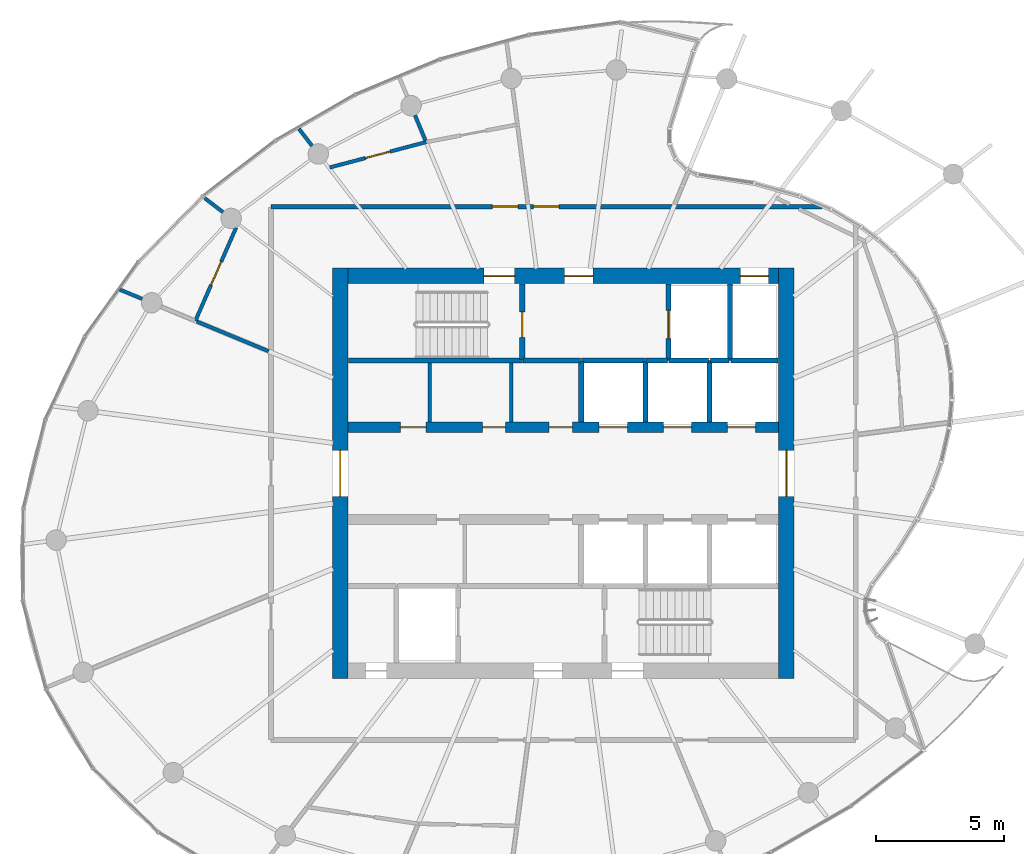
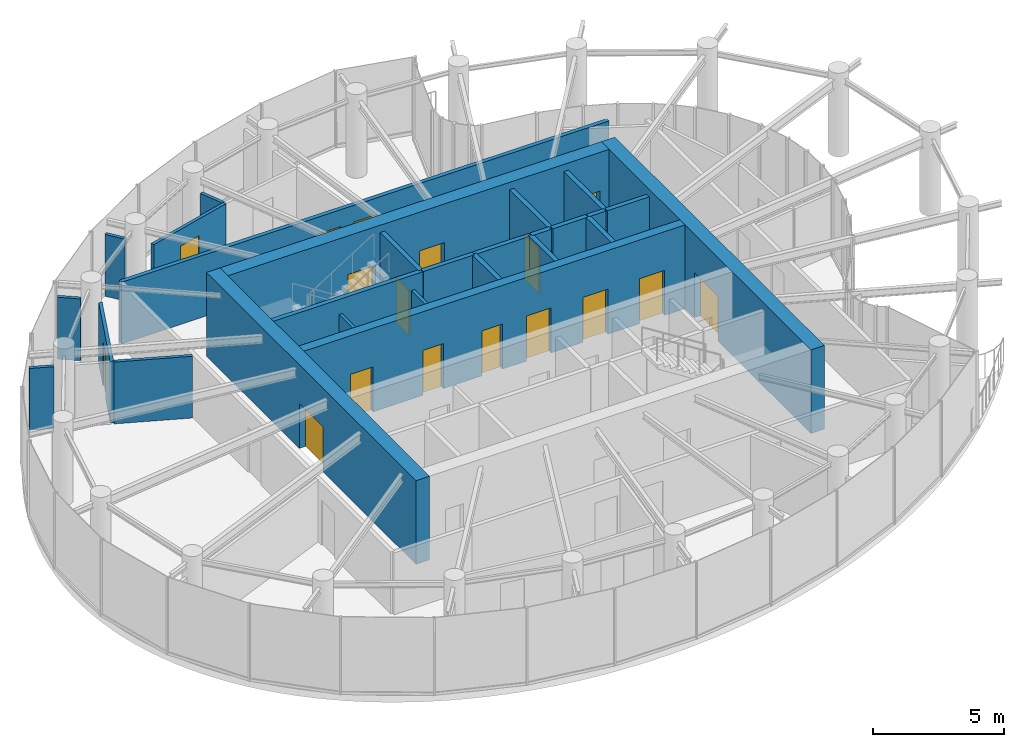
# One storey, part 11 of 14: 27 walls, 17 doors, 17 openings.
"""IFC4 building model written with IfcOpenShell, lengths in metres."""

from ifc_helpers import new_model, si_unit, direction, frame, frame_2d, origin, place, context, subcontext, project, spatial, rectangle, extrude, source, transform, mapped, material, layer, layer_set, type_object, element, fill, save


model = new_model("IFC4")

# Units and contexts
model_context = context("Model", 3, precision=1e-05, world=origin(), true_north=direction((0.0, 1.0)))
body_context = subcontext(model_context, "Body", "Model", "MODEL_VIEW")
ifc_project = project(units=[si_unit("LENGTHUNIT", "METRE"), si_unit("AREAUNIT", "SQUARE_METRE"), si_unit("VOLUMEUNIT", "CUBIC_METRE"), si_unit("PLANEANGLEUNIT", "RADIAN"), si_unit("MASSUNIT", "GRAM", prefix="KILO")], contexts=[model_context])

# Site, building, storey
site_placement = place(None, origin())
site = spatial("IfcSite", under=ifc_project, at=site_placement, CompositionType="ELEMENT")
building_placement = place(site_placement, origin())
building = spatial("IfcBuilding", under=site, at=building_placement, Name="Spindrift Exchange Tower", CompositionType="ELEMENT")
storey_placement = place(building_placement, frame((0.0, 0.0, 238.39990234375)))
storey = spatial("IfcBuildingStorey", under=building, at=storey_placement, Name="L58", CompositionType="ELEMENT", Elevation=238.39990234375)

# Wall, opening, door
ifc_material_1 = material(Name="Concrete 50 MPa", Category="concrete")
ifc_layer_1 = layer(ifc_material_1, 0.60009765625)
ifc_layer_set_1 = layer_set([ifc_layer_1], Name="RC Core Wall 600 Concrete 50 MPa")
wall_type_1 = type_object("IfcWallType", Name="RC Core Wall 600 Concrete 50 MPa", PredefinedType="SHEAR", material=ifc_layer_set_1)
wall_1_placement = place(storey_placement, frame((60.699951171875, 40.0, 0.0), z_axis=(0.0, 0.0, 1.0), x_axis=(0.0, 1.0, 0.0)))
wall_1 = element("IfcWall", 1, at=wall_1_placement, inside=storey, type_object=wall_type_1, Name="Core wall E L58", PredefinedType="SHEAR", context=body_context, shape_type="SweptSolid", body=[
    extrude(rectangle(XDim=16.0, YDim=0.60009765625, at=frame_2d((8.0, 0.0))), origin(), (0.0, 0.0, 1.0), 3.900146484375),
])
opening_1_placement = place(wall_1_placement, frame((7.10009765625, 0.0, 0.0)))
opening_1 = element("IfcOpeningElement", 2, at=opening_1_placement, cuts=wall_1, Name="Opening L58-D2", PredefinedType="OPENING", context=body_context, shape_type="SweptSolid", body=[
    extrude(rectangle(XDim=1.800048828125, YDim=2.10009765625, at=frame_2d((0.89990234375, 1.050048828125))), frame((0.0, 0.31005859375, 0.0), z_axis=(0.0, -1.0, 0.0), x_axis=(1.0, 0.0, 0.0)), (0.0, 0.0, 1.0), 0.6201171875),
])
ifc_material_2 = material(Name="Timber-core fire door", Category="wood")
door_type_1 = type_object("IfcDoorType", Name="DR-LOBBY-1800", OperationType="NOTDEFINED", PredefinedType="DOOR", material=ifc_material_2)
shared_shape_1 = source(origin(), body_context, "Body", "SweptSolid", [
    extrude(rectangle(XDim=1.800048828125, YDim=2.10009765625, at=frame_2d((0.89990234375, 1.050048828125))), frame((0.0, 0.02490234375, 0.0), z_axis=(0.0, -1.0, 0.0), x_axis=(1.0, 0.0, 0.0)), (0.0, 0.0, 1.0), 0.050048828125),
])
door_1_placement = place(opening_1_placement, origin())
door_1 = element("IfcDoor", 3, at=door_1_placement, inside=storey, type_object=door_type_1, Name="L58 Lobby door 2", OperationType="SINGLE_SWING_RIGHT", OverallHeight=2.10009765625, OverallWidth=1.800048828125, PredefinedType="DOOR", context=body_context, shape_type="MappedRepresentation", body=[
    mapped(shared_shape_1, transform((0.0, 0.0, 0.0), scale=1.0)),
])
fill(opening_1, door_1)

wall_2_placement = place(storey_placement, frame((43.300048828125, 56.0, 0.0), z_axis=(0.0, 0.0, 1.0), x_axis=(0.0, -1.0, 0.0)))
wall_2 = element("IfcWall", 4, at=wall_2_placement, inside=storey, type_object=wall_type_1, Name="Core wall W L58", PredefinedType="SHEAR", context=body_context, shape_type="SweptSolid", body=[
    extrude(rectangle(XDim=16.0, YDim=0.60009765625, at=frame_2d((8.0, 0.0))), origin(), (0.0, 0.0, 1.0), 3.900146484375),
])
opening_2_placement = place(wall_2_placement, frame((7.10009765625, 0.0, 0.0)))
opening_2 = element("IfcOpeningElement", 5, at=opening_2_placement, cuts=wall_2, Name="Opening L58-D1", PredefinedType="OPENING", context=body_context, shape_type="SweptSolid", body=[
    extrude(rectangle(XDim=1.800048828125, YDim=2.10009765625, at=frame_2d((0.89990234375, 1.050048828125))), frame((0.0, 0.31005859375, 0.0), z_axis=(0.0, -1.0, 0.0), x_axis=(1.0, 0.0, 0.0)), (0.0, 0.0, 1.0), 0.6201171875),
])
door_2_placement = place(opening_2_placement, origin())
door_2 = element("IfcDoor", 6, at=door_2_placement, inside=storey, type_object=door_type_1, Name="L58 Lobby door 1", OperationType="SINGLE_SWING_LEFT", OverallHeight=2.10009765625, OverallWidth=1.800048828125, PredefinedType="DOOR", context=body_context, shape_type="MappedRepresentation", body=[
    mapped(shared_shape_1, transform((0.0, 0.0, 0.0), scale=1.0)),
])
fill(opening_2, door_2)

# Wall, openings, doors
wall_3_placement = place(storey_placement, frame((60.39990234375, 55.699951171875, 0.0), z_axis=(0.0, 0.0, 1.0), x_axis=(-1.0, 0.0, 0.0)))
wall_3 = element("IfcWall", 7, at=wall_3_placement, inside=storey, type_object=wall_type_1, Name="Core wall N L58", PredefinedType="SHEAR", context=body_context, shape_type="SweptSolid", body=[
    extrude(rectangle(XDim=16.7998046875, YDim=0.60009765625, at=frame_2d((8.39990234375, 0.0))), origin(), (0.0, 0.0, 1.0), 3.900146484375),
])
opening_3_placement = place(wall_3_placement, frame((0.39990234375, 0.0, 0.0)))
opening_3 = element("IfcOpeningElement", 8, at=opening_3_placement, cuts=wall_3, Name="Opening L58-D11", PredefinedType="OPENING", context=body_context, shape_type="SweptSolid", body=[
    extrude(rectangle(XDim=1.10009765625, YDim=2.10009765625, at=frame_2d((0.550048828125, 1.050048828125))), frame((0.0, 0.31005859375, 0.0), z_axis=(0.0, -1.0, 0.0), x_axis=(1.0, 0.0, 0.0)), (0.0, 0.0, 1.0), 0.6201171875),
])
opening_4_placement = place(wall_3_placement, frame((10.300048828125, 0.0, 0.0)))
opening_4 = element("IfcOpeningElement", 9, at=opening_4_placement, cuts=wall_3, Name="Opening L58-D12", PredefinedType="OPENING", context=body_context, shape_type="SweptSolid", body=[
    extrude(rectangle(XDim=1.199951171875, YDim=2.10009765625, at=frame_2d((0.60009765625, 1.050048828125))), frame((0.0, 0.31005859375, 0.0), z_axis=(0.0, -1.0, 0.0), x_axis=(1.0, 0.0, 0.0)), (0.0, 0.0, 1.0), 0.6201171875),
])
opening_5_placement = place(wall_3_placement, frame((7.25, 0.0, 0.0)))
opening_5 = element("IfcOpeningElement", 10, at=opening_5_placement, cuts=wall_3, Name="Opening L58-D14", PredefinedType="OPENING", context=body_context, shape_type="SweptSolid", body=[
    extrude(rectangle(XDim=1.10009765625, YDim=2.10009765625, at=frame_2d((0.550048828125, 1.050048828125))), frame((0.0, 0.31005859375, 0.0), z_axis=(0.0, -1.0, 0.0), x_axis=(1.0, 0.0, 0.0)), (0.0, 0.0, 1.0), 0.6201171875),
])
ifc_material_3 = material(Name="Stainless steel landing door", Category="steel")
door_type_2 = type_object("IfcDoorType", Name="DR-LANDING-1100-SL", OperationType="DOUBLE_DOOR_SLIDING", PredefinedType="USERDEFINED", material=ifc_material_3)
shared_shape_2 = source(origin(), body_context, "Body", "SweptSolid", [
    extrude(rectangle(XDim=1.10009765625, YDim=2.10009765625, at=frame_2d((0.550048828125, 1.050048828125))), frame((0.0, 0.02490234375, 0.0), z_axis=(0.0, -1.0, 0.0), x_axis=(1.0, 0.0, 0.0)), (0.0, 0.0, 1.0), 0.050048828125),
])
door_3_placement = place(opening_3_placement, origin())
door_3 = element("IfcDoor", 11, at=door_3_placement, inside=storey, type_object=door_type_2, Name="L58 Lift landing door 11", ObjectType="LANDING DOOR", OperationType="DOUBLE_DOOR_SLIDING", OverallHeight=2.10009765625, OverallWidth=1.10009765625, PredefinedType="USERDEFINED", context=body_context, shape_type="MappedRepresentation", body=[
    mapped(shared_shape_2, transform((0.0, 0.0, 0.0), scale=1.0)),
])
fill(opening_3, door_3)
ifc_material_4 = material(Name="Steel fire door", Category="steel")
door_type_3 = type_object("IfcDoorType", Name="DR-STAIR-1200", OperationType="NOTDEFINED", PredefinedType="DOOR", material=ifc_material_4)
shared_shape_3 = source(origin(), body_context, "Body", "SweptSolid", [
    extrude(rectangle(XDim=1.199951171875, YDim=2.10009765625, at=frame_2d((0.60009765625, 1.050048828125))), frame((0.0, 0.02490234375, 0.0), z_axis=(0.0, -1.0, 0.0), x_axis=(1.0, 0.0, 0.0)), (0.0, 0.0, 1.0), 0.050048828125),
])
door_4_placement = place(opening_4_placement, origin())
door_4 = element("IfcDoor", 12, at=door_4_placement, inside=storey, type_object=door_type_3, Name="L58 Stair door 12", OperationType="SINGLE_SWING_LEFT", OverallHeight=2.10009765625, OverallWidth=1.199951171875, PredefinedType="DOOR", context=body_context, shape_type="MappedRepresentation", body=[
    mapped(shared_shape_3, transform((0.0, 0.0, 0.0), scale=1.0)),
])
fill(opening_4, door_4)
door_type_4 = type_object("IfcDoorType", Name="DR-LOBBY-1100", OperationType="NOTDEFINED", PredefinedType="DOOR", material=ifc_material_2)
shared_shape_4 = source(origin(), body_context, "Body", "SweptSolid", [
    extrude(rectangle(XDim=1.10009765625, YDim=2.10009765625, at=frame_2d((0.550048828125, 1.050048828125))), frame((0.0, 0.02490234375, 0.0), z_axis=(0.0, -1.0, 0.0), x_axis=(1.0, 0.0, 0.0)), (0.0, 0.0, 1.0), 0.050048828125),
])
door_5_placement = place(opening_5_placement, origin())
door_5 = element("IfcDoor", 13, at=door_5_placement, inside=storey, type_object=door_type_4, Name="L58 Lobby door 14", OperationType="SINGLE_SWING_LEFT", OverallHeight=2.10009765625, OverallWidth=1.10009765625, PredefinedType="DOOR", context=body_context, shape_type="MappedRepresentation", body=[
    mapped(shared_shape_4, transform((0.0, 0.0, 0.0), scale=1.0)),
])
fill(opening_5, door_5)

ifc_layer_2 = layer(ifc_material_1, 0.39990234375)
ifc_layer_set_2 = layer_set([ifc_layer_2], Name="RC Spine Wall 400 Concrete 50 MPa")
wall_type_2 = type_object("IfcWallType", Name="RC Spine Wall 400 Concrete 50 MPa", PredefinedType="SHEAR", material=ifc_layer_set_2)
wall_4_placement = place(storey_placement, frame((43.60009765625, 49.800048828125, 0.0), z_axis=(0.0, 0.0, 1.0), x_axis=(1.0, 0.0, 0.0)))
wall_4 = element("IfcWall", 14, at=wall_4_placement, inside=storey, type_object=wall_type_2, Name="Core spine wall N L58", PredefinedType="SHEAR", context=body_context, shape_type="SweptSolid", body=[
    extrude(rectangle(XDim=16.7998046875, YDim=0.39990234375, at=frame_2d((8.39990234375, 0.0))), origin(), (0.0, 0.0, 1.0), 3.900146484375),
])
opening_6_placement = place(wall_4_placement, frame((9.800048828125, 0.0, 0.0)))
opening_6 = element("IfcOpeningElement", 15, at=opening_6_placement, cuts=wall_4, Name="Opening L58-D3", PredefinedType="OPENING", context=body_context, shape_type="SweptSolid", body=[
    extrude(rectangle(XDim=1.10009765625, YDim=2.10009765625, at=frame_2d((0.550048828125, 1.050048828125))), frame((0.0, 0.2099609375, 0.0), z_axis=(0.0, -1.0, 0.0), x_axis=(1.0, 0.0, 0.0)), (0.0, 0.0, 1.0), 0.419921875),
])
opening_7_placement = place(wall_4_placement, frame((12.300048828125, 0.0, 0.0)))
opening_7 = element("IfcOpeningElement", 16, at=opening_7_placement, cuts=wall_4, Name="Opening L58-D4", PredefinedType="OPENING", context=body_context, shape_type="SweptSolid", body=[
    extrude(rectangle(XDim=1.10009765625, YDim=2.10009765625, at=frame_2d((0.550048828125, 1.050048828125))), frame((0.0, 0.2099609375, 0.0), z_axis=(0.0, -1.0, 0.0), x_axis=(1.0, 0.0, 0.0)), (0.0, 0.0, 1.0), 0.419921875),
])
opening_8_placement = place(wall_4_placement, frame((14.800048828125, 0.0, 0.0)))
opening_8 = element("IfcOpeningElement", 17, at=opening_8_placement, cuts=wall_4, Name="Opening L58-D5", PredefinedType="OPENING", context=body_context, shape_type="SweptSolid", body=[
    extrude(rectangle(XDim=1.10009765625, YDim=2.10009765625, at=frame_2d((0.550048828125, 1.050048828125))), frame((0.0, 0.2099609375, 0.0), z_axis=(0.0, -1.0, 0.0), x_axis=(1.0, 0.0, 0.0)), (0.0, 0.0, 1.0), 0.419921875),
])
opening_9_placement = place(wall_4_placement, frame((2.050048828125, 0.0, 0.0)))
opening_9 = element("IfcOpeningElement", 18, at=opening_9_placement, cuts=wall_4, Name="Opening L58-D34", PredefinedType="OPENING", context=body_context, shape_type="SweptSolid", body=[
    extrude(rectangle(XDim=1.0, YDim=2.10009765625, at=frame_2d((0.5, 1.050048828125))), frame((0.0, 0.2099609375, 0.0), z_axis=(0.0, -1.0, 0.0), x_axis=(1.0, 0.0, 0.0)), (0.0, 0.0, 1.0), 0.419921875),
])
opening_10_placement = place(wall_4_placement, frame((5.25, 0.0, 0.0)))
opening_10 = element("IfcOpeningElement", 19, at=opening_10_placement, cuts=wall_4, Name="Opening L58-D35", PredefinedType="OPENING", context=body_context, shape_type="SweptSolid", body=[
    extrude(rectangle(XDim=0.89990234375, YDim=2.10009765625, at=frame_2d((0.449951171875, 1.050048828125))), frame((0.0, 0.2099609375, 0.0), z_axis=(0.0, -1.0, 0.0), x_axis=(1.0, 0.0, 0.0)), (0.0, 0.0, 1.0), 0.419921875),
])
opening_11_placement = place(wall_4_placement, frame((7.85009765625, 0.0, 0.0)))
opening_11 = element("IfcOpeningElement", 20, at=opening_11_placement, cuts=wall_4, Name="Opening L58-D36", PredefinedType="OPENING", context=body_context, shape_type="SweptSolid", body=[
    extrude(rectangle(XDim=0.89990234375, YDim=2.10009765625, at=frame_2d((0.449951171875, 1.050048828125))), frame((0.0, 0.2099609375, 0.0), z_axis=(0.0, -1.0, 0.0), x_axis=(1.0, 0.0, 0.0)), (0.0, 0.0, 1.0), 0.419921875),
])
door_6_placement = place(opening_6_placement, origin())
door_6 = element("IfcDoor", 21, at=door_6_placement, inside=storey, type_object=door_type_2, Name="L58 Lift landing door 3", ObjectType="LANDING DOOR", OperationType="DOUBLE_DOOR_SLIDING", OverallHeight=2.10009765625, OverallWidth=1.10009765625, PredefinedType="USERDEFINED", context=body_context, shape_type="MappedRepresentation", body=[
    mapped(shared_shape_2, transform((0.0, 0.0, 0.0), scale=1.0)),
])
fill(opening_6, door_6)
door_7_placement = place(opening_7_placement, origin())
door_7 = element("IfcDoor", 22, at=door_7_placement, inside=storey, type_object=door_type_2, Name="L58 Lift landing door 4", ObjectType="LANDING DOOR", OperationType="DOUBLE_DOOR_SLIDING", OverallHeight=2.10009765625, OverallWidth=1.10009765625, PredefinedType="USERDEFINED", context=body_context, shape_type="MappedRepresentation", body=[
    mapped(shared_shape_2, transform((0.0, 0.0, 0.0), scale=1.0)),
])
fill(opening_7, door_7)
door_8_placement = place(opening_8_placement, origin())
door_8 = element("IfcDoor", 23, at=door_8_placement, inside=storey, type_object=door_type_2, Name="L58 Lift landing door 5", ObjectType="LANDING DOOR", OperationType="DOUBLE_DOOR_SLIDING", OverallHeight=2.10009765625, OverallWidth=1.10009765625, PredefinedType="USERDEFINED", context=body_context, shape_type="MappedRepresentation", body=[
    mapped(shared_shape_2, transform((0.0, 0.0, 0.0), scale=1.0)),
])
fill(opening_8, door_8)
ifc_material_5 = material(Name="Steel access door", Category="steel")
door_type_5 = type_object("IfcDoorType", Name="DR-RISER-900", OperationType="NOTDEFINED", PredefinedType="DOOR", material=ifc_material_5)
shared_shape_5 = source(origin(), body_context, "Body", "SweptSolid", [
    extrude(rectangle(XDim=0.89990234375, YDim=2.10009765625, at=frame_2d((0.449951171875, 1.050048828125))), frame((0.0, 0.02490234375, 0.0), z_axis=(0.0, -1.0, 0.0), x_axis=(1.0, 0.0, 0.0)), (0.0, 0.0, 1.0), 0.050048828125),
])
door_9_placement = place(opening_10_placement, origin())
door_9 = element("IfcDoor", 24, at=door_9_placement, inside=storey, type_object=door_type_5, Name="L58 Riser door 35", OperationType="SINGLE_SWING_RIGHT", OverallHeight=2.10009765625, OverallWidth=0.89990234375, PredefinedType="DOOR", context=body_context, shape_type="MappedRepresentation", body=[
    mapped(shared_shape_5, transform((0.0, 0.0, 0.0), scale=1.0)),
])
fill(opening_10, door_9)
door_10_placement = place(opening_11_placement, origin())
door_10 = element("IfcDoor", 25, at=door_10_placement, inside=storey, type_object=door_type_5, Name="L58 Riser door 36", OperationType="SINGLE_SWING_LEFT", OverallHeight=2.10009765625, OverallWidth=0.89990234375, PredefinedType="DOOR", context=body_context, shape_type="MappedRepresentation", body=[
    mapped(shared_shape_5, transform((0.0, 0.0, 0.0), scale=1.0)),
])
fill(opening_11, door_10)
ifc_material_6 = material(Name="Laminate washroom door", Category="wood")
door_type_6 = type_object("IfcDoorType", Name="DR-WC-1000", OperationType="NOTDEFINED", PredefinedType="DOOR", material=ifc_material_6)
shared_shape_6 = source(origin(), body_context, "Body", "SweptSolid", [
    extrude(rectangle(XDim=1.0, YDim=2.10009765625, at=frame_2d((0.5, 1.050048828125))), frame((0.0, 0.02490234375, 0.0), z_axis=(0.0, -1.0, 0.0), x_axis=(1.0, 0.0, 0.0)), (0.0, 0.0, 1.0), 0.050048828125),
])
door_11_placement = place(opening_9_placement, origin())
door_11 = element("IfcDoor", 26, at=door_11_placement, inside=storey, type_object=door_type_6, Name="L58 WC door 34", OperationType="SINGLE_SWING_LEFT", OverallHeight=2.10009765625, OverallWidth=1.0, PredefinedType="DOOR", context=body_context, shape_type="MappedRepresentation", body=[
    mapped(shared_shape_6, transform((0.0, 0.0, 0.0), scale=1.0)),
])
fill(opening_9, door_11)

ifc_material_7 = material(Name="Fire-rated plasterboard partition", Category="gypsum")
ifc_layer_3 = layer(ifc_material_7, 0.179931640625)
ifc_layer_set_3 = layer_set([ifc_layer_3], Name="W-CORR-180")
wall_type_3 = type_object("IfcWallType", Name="W-CORR-180", PredefinedType="PARTITIONING", material=ifc_layer_set_3)
wall_5_placement = place(storey_placement, frame((40.60009765625, 58.39990234375, 0.0), z_axis=(0.0, 0.0, 1.0), x_axis=(1.0, 0.0, 0.0)))
wall_5 = element("IfcWall", 27, at=wall_5_placement, inside=storey, type_object=wall_type_3, Name="L58 Partition wall 28", PredefinedType="PARTITIONING", context=body_context, shape_type="SweptSolid", body=[
    extrude(rectangle(XDim=21.4833984375, YDim=0.179931640625, at=frame_2d((10.74169921875, 0.0))), origin(), (0.0, 0.0, 1.0), 2.880126953125),
])
opening_12_placement = place(wall_5_placement, frame((10.2333984375, 0.0, 0.0)))
opening_12 = element("IfcOpeningElement", 28, at=opening_12_placement, cuts=wall_5, Name="Opening L58-D21", PredefinedType="OPENING", context=body_context, shape_type="SweptSolid", body=[
    extrude(rectangle(XDim=1.0, YDim=2.10009765625, at=frame_2d((0.5, 1.050048828125))), frame((0.0, 0.099853515625, 0.0), z_axis=(0.0, -1.0, 0.0), x_axis=(1.0, 0.0, 0.0)), (0.0, 0.0, 1.0), 0.199951171875),
])
opening_13_placement = place(wall_5_placement, frame((8.633544921875, 0.0, 0.0)))
opening_13 = element("IfcOpeningElement", 29, at=opening_13_placement, cuts=wall_5, Name="Opening L58-D22", PredefinedType="OPENING", context=body_context, shape_type="SweptSolid", body=[
    extrude(rectangle(XDim=1.0, YDim=2.10009765625, at=frame_2d((0.5, 1.050048828125))), frame((0.0, 0.099853515625, 0.0), z_axis=(0.0, -1.0, 0.0), x_axis=(1.0, 0.0, 0.0)), (0.0, 0.0, 1.0), 0.199951171875),
])
door_type_7 = type_object("IfcDoorType", Name="DR-ROOM-1000", OperationType="NOTDEFINED", PredefinedType="DOOR", material=ifc_material_2)
shared_shape_7 = source(origin(), body_context, "Body", "SweptSolid", [
    extrude(rectangle(XDim=1.0, YDim=2.10009765625, at=frame_2d((0.5, 1.050048828125))), frame((0.0, 0.02490234375, 0.0), z_axis=(0.0, -1.0, 0.0), x_axis=(1.0, 0.0, 0.0)), (0.0, 0.0, 1.0), 0.050048828125),
])
door_12_placement = place(opening_12_placement, origin())
door_12 = element("IfcDoor", 30, at=door_12_placement, inside=storey, type_object=door_type_7, Name="L58 Door 21", OperationType="SINGLE_SWING_RIGHT", OverallHeight=2.10009765625, OverallWidth=1.0, PredefinedType="DOOR", context=body_context, shape_type="MappedRepresentation", body=[
    mapped(shared_shape_7, transform((0.0, 0.0, 0.0), scale=1.0)),
])
fill(opening_12, door_12)
door_13_placement = place(opening_13_placement, origin())
door_13 = element("IfcDoor", 31, at=door_13_placement, inside=storey, type_object=door_type_7, Name="L58 Door 22", OperationType="SINGLE_SWING_LEFT", OverallHeight=2.10009765625, OverallWidth=1.0, PredefinedType="DOOR", context=body_context, shape_type="MappedRepresentation", body=[
    mapped(shared_shape_7, transform((0.0, 0.0, 0.0), scale=1.0)),
])
fill(opening_13, door_13)

# Wall, opening, door
ifc_layer_4 = layer(ifc_material_7, 0.139892578125)
ifc_layer_set_4 = layer_set([ifc_layer_4], Name="W-PART-140")
wall_type_4 = type_object("IfcWallType", Name="W-PART-140", PredefinedType="PARTITIONING", material=ifc_layer_set_4)
wall_6_placement = place(storey_placement, frame((37.65185546875, 53.943115234375, 0.0), z_axis=(0.0, 0.0, 1.0), x_axis=(0.400345057701, 0.916364466124, 0.0)))
wall_6 = element("IfcWall", 32, at=wall_6_placement, inside=storey, type_object=wall_type_4, Name="L58 Partition wall 33", PredefinedType="PARTITIONING", context=body_context, shape_type="SweptSolid", body=[
    extrude(rectangle(XDim=3.97412109375, YDim=0.139892578125, at=frame_2d((1.987060546875, 0.0))), origin(), (0.0, 0.0, 1.0), 2.880126953125),
])
opening_14_placement = place(wall_6_placement, frame((1.524169921875, 0.0, 0.0)))
opening_14 = element("IfcOpeningElement", 33, at=opening_14_placement, cuts=wall_6, Name="Opening L58-D25", PredefinedType="OPENING", context=body_context, shape_type="SweptSolid", body=[
    extrude(rectangle(XDim=1.0, YDim=2.10009765625, at=frame_2d((0.5, 1.050048828125))), frame((0.0, 0.079833984375, 0.0), z_axis=(0.0, -1.0, 0.0), x_axis=(1.0, 0.0, 0.0)), (0.0, 0.0, 1.0), 0.159912109375),
])
door_14_placement = place(opening_14_placement, origin())
door_14 = element("IfcDoor", 34, at=door_14_placement, inside=storey, type_object=door_type_7, Name="L58 Door 25", OperationType="SINGLE_SWING_RIGHT", OverallHeight=2.10009765625, OverallWidth=1.0, PredefinedType="DOOR", context=body_context, shape_type="MappedRepresentation", body=[
    mapped(shared_shape_7, transform((0.0, 0.0, 0.0), scale=1.0)),
])
fill(opening_14, door_14)

wall_7_placement = place(storey_placement, frame((42.894287109375, 59.927490234375, 0.0), z_axis=(0.0, 0.0, 1.0), x_axis=(0.967030550889, 0.254660388848, 0.0)))
wall_7 = element("IfcWall", 35, at=wall_7_placement, inside=storey, type_object=wall_type_4, Name="L58 Partition wall 34", PredefinedType="PARTITIONING", context=body_context, shape_type="SweptSolid", body=[
    extrude(rectangle(XDim=3.883544921875, YDim=0.139892578125, at=frame_2d((1.94189453125, 0.0))), origin(), (0.0, 0.0, 1.0), 2.880126953125),
])
opening_15_placement = place(wall_7_placement, frame((1.43359375, 0.0, 0.0)))
opening_15 = element("IfcOpeningElement", 36, at=opening_15_placement, cuts=wall_7, Name="Opening L58-D24", PredefinedType="OPENING", context=body_context, shape_type="SweptSolid", body=[
    extrude(rectangle(XDim=1.0, YDim=2.10009765625, at=frame_2d((0.5, 1.050048828125))), frame((0.0, 0.079833984375, 0.0), z_axis=(0.0, -1.0, 0.0), x_axis=(1.0, 0.0, 0.0)), (0.0, 0.0, 1.0), 0.159912109375),
])
door_15_placement = place(opening_15_placement, origin())
door_15 = element("IfcDoor", 37, at=door_15_placement, inside=storey, type_object=door_type_7, Name="L58 Door 24", OperationType="SINGLE_SWING_LEFT", OverallHeight=2.10009765625, OverallWidth=1.0, PredefinedType="DOOR", context=body_context, shape_type="MappedRepresentation", body=[
    mapped(shared_shape_7, transform((0.0, 0.0, 0.0), scale=1.0)),
])
fill(opening_15, door_15)

# Walls
wall_8_placement = place(storey_placement, frame((40.510009765625, 52.75927734375, 0.0), z_axis=(0.0, 0.0, 1.0), x_axis=(-0.923863305003, 0.382722606687, 0.0)))
element("IfcWall", 38, at=wall_8_placement, inside=storey, type_object=wall_type_4, Name="L58 Partition wall 43", PredefinedType="PARTITIONING", context=body_context, shape_type="SweptSolid", body=[
    extrude(rectangle(XDim=3.023681640625, YDim=0.139892578125, at=frame_2d((1.51171875, 0.0))), origin(), (0.0, 0.0, 1.0), 2.880126953125),
])
for number, where, z_axis, x_axis, name in (
    (39, (46.784912109375, 50.010009765625, 0.0), (0.0, 0.0, 1.0), (0.0, 1.0, 0.0), "L58 Partition wall 45"),
    (40, (49.969970703125, 50.010009765625, 0.0), (0.0, 0.0, 1.0), (0.0, 1.0, 0.0), "L58 Partition wall 47"),
):
    element("IfcWall", number, at=place(storey_placement, frame(where, z_axis=z_axis, x_axis=x_axis)), inside=storey, type_object=wall_type_4, Name=name, PredefinedType="PARTITIONING", context=body_context, shape_type="SweptSolid", body=[
        extrude(rectangle(XDim=2.2900390625, YDim=0.139892578125, at=frame_2d((1.14501953125, 0.0))), origin(), (0.0, 0.0, 1.0), 2.880126953125),
    ])
wall_9_placement = place(storey_placement, frame((46.622802734375, 60.98193359375, 0.0), z_axis=(0.0, 0.0, 1.0), x_axis=(-0.382698137168, 0.923873441445, 0.0)))
element("IfcWall", 41, at=wall_9_placement, inside=storey, type_object=wall_type_4, Name="L58 Partition wall 58", PredefinedType="PARTITIONING", context=body_context, shape_type="SweptSolid", body=[
    extrude(rectangle(XDim=1.058349609375, YDim=0.139892578125, at=frame_2d((0.529296875, 0.0))), origin(), (0.0, 0.0, 1.0), 2.880126953125),
])
wall_10_placement = place(storey_placement, frame((35.57421875, 54.8037109375, 0.0), z_axis=(0.0, 0.0, 1.0), x_axis=(-0.923887369877, 0.382664510743, 0.0)))
element("IfcWall", 42, at=wall_10_placement, inside=storey, type_object=wall_type_4, Name="L58 Partition wall 62", PredefinedType="PARTITIONING", context=body_context, shape_type="SweptSolid", body=[
    extrude(rectangle(XDim=0.9423828125, YDim=0.139892578125, at=frame_2d((0.47119140625, 0.0))), origin(), (0.0, 0.0, 1.0), 2.880126953125),
])
wall_11_placement = place(storey_placement, frame((38.72607421875, 58.185546875, 0.0), z_axis=(0.0, 0.0, 1.0), x_axis=(-0.793377017635, 0.608730570851, 0.0)))
element("IfcWall", 43, at=wall_11_placement, inside=storey, type_object=wall_type_4, Name="L58 Partition wall 64", PredefinedType="PARTITIONING", context=body_context, shape_type="SweptSolid", body=[
    extrude(rectangle(XDim=0.89111328125, YDim=0.139892578125, at=frame_2d((0.445556640625, 0.0))), origin(), (0.0, 0.0, 1.0), 2.880126953125),
])
wall_12_placement = place(storey_placement, frame((42.197998046875, 60.774169921875, 0.0), z_axis=(0.0, 0.0, 1.0), x_axis=(-0.608690039121, 0.793408114576, 0.0)))
element("IfcWall", 44, at=wall_12_placement, inside=storey, type_object=wall_type_4, Name="L58 Partition wall 65", PredefinedType="PARTITIONING", context=body_context, shape_type="SweptSolid", body=[
    extrude(rectangle(XDim=0.832763671875, YDim=0.139892578125, at=frame_2d((0.41650390625, 0.0))), origin(), (0.0, 0.0, 1.0), 2.880126953125),
])

# Wall, opening, door
ifc_material_8 = material(Name="Concrete 40 MPa", Category="concrete")
ifc_layer_5 = layer(ifc_material_8, 0.199951171875)
ifc_layer_set_5 = layer_set([ifc_layer_5], Name="W-SHAFT-200")
wall_type_5 = type_object("IfcWallType", Name="W-SHAFT-200", PredefinedType="SOLIDWALL", material=ifc_layer_set_5)
wall_13_placement = place(storey_placement, frame((56.10009765625, 55.3798828125, 0.0), z_axis=(0.0, 0.0, 1.0), x_axis=(0.0, -1.0, 0.0)))
wall_13 = element("IfcWall", 45, at=wall_13_placement, inside=storey, type_object=wall_type_5, Name="L58 Shaft wall 7", PredefinedType="SOLIDWALL", context=body_context, shape_type="SweptSolid", body=[
    extrude(rectangle(XDim=2.97998046875, YDim=0.199951171875, at=frame_2d((1.489990234375, 0.0))), origin(), (0.0, 0.0, 1.0), 3.580078125),
])
opening_16_placement = place(wall_13_placement, frame((1.030029296875, 0.0, 0.0)))
opening_16 = element("IfcOpeningElement", 46, at=opening_16_placement, cuts=wall_13, Name="Opening L58-D9", PredefinedType="OPENING", context=body_context, shape_type="SweptSolid", body=[
    extrude(rectangle(XDim=1.10009765625, YDim=2.10009765625, at=frame_2d((0.550048828125, 1.050048828125))), frame((0.0, 0.10986328125, 0.0), z_axis=(0.0, -1.0, 0.0), x_axis=(1.0, 0.0, 0.0)), (0.0, 0.0, 1.0), 0.219970703125),
])
door_16_placement = place(opening_16_placement, origin())
door_16 = element("IfcDoor", 47, at=door_16_placement, inside=storey, type_object=door_type_2, Name="L58 Lift landing door 9", ObjectType="LANDING DOOR", OperationType="DOUBLE_DOOR_SLIDING", OverallHeight=2.10009765625, OverallWidth=1.10009765625, PredefinedType="USERDEFINED", context=body_context, shape_type="MappedRepresentation", body=[
    mapped(shared_shape_2, transform((0.0, 0.0, 0.0), scale=1.0)),
])
fill(opening_16, door_16)

# Walls
wall_14_placement = place(storey_placement, frame((58.5, 52.39990234375, 0.0), z_axis=(0.0, 0.0, 1.0), x_axis=(0.0, 1.0, 0.0)))
element("IfcWall", 48, at=wall_14_placement, inside=storey, type_object=wall_type_5, Name="L58 Shaft wall 8", PredefinedType="SOLIDWALL", context=body_context, shape_type="SweptSolid", body=[
    extrude(rectangle(XDim=2.97998046875, YDim=0.199951171875, at=frame_2d((1.489990234375, 0.0))), origin(), (0.0, 0.0, 1.0), 3.580078125),
])
wall_15_placement = place(storey_placement, frame((55.199951171875, 52.39990234375, 0.0), z_axis=(0.0, 0.0, 1.0), x_axis=(-1.0, 0.0, 0.0)))
element("IfcWall", 49, at=wall_15_placement, inside=storey, type_object=wall_type_5, Name="L58 Shaft wall 10", PredefinedType="SOLIDWALL", context=body_context, shape_type="SweptSolid", body=[
    extrude(rectangle(XDim=2.5, YDim=0.199951171875, at=frame_2d((1.25, 0.0))), origin(), (0.0, 0.0, 1.0), 3.580078125),
])
for number, where, z_axis, x_axis, name in (
    (50, (52.699951171875, 52.3701171875, 0.0), (0.0, 0.0, 1.0), (0.0, -1.0, 0.0), "L58 Shaft wall 14"),
    (51, (55.199951171875, 50.010009765625, 0.0), (0.0, 0.0, 1.0), (0.0, 1.0, 0.0), "L58 Shaft wall 16"),
):
    element("IfcWall", number, at=place(storey_placement, frame(where, z_axis=z_axis, x_axis=x_axis)), inside=storey, type_object=wall_type_5, Name=name, PredefinedType="SOLIDWALL", context=body_context, shape_type="SweptSolid", body=[
        extrude(rectangle(XDim=2.360107421875, YDim=0.199951171875, at=frame_2d((1.18017578125, 0.0))), origin(), (0.0, 0.0, 1.0), 3.580078125),
    ])
wall_16_placement = place(storey_placement, frame((57.699951171875, 50.010009765625, 0.0), z_axis=(0.0, 0.0, 1.0), x_axis=(0.0, 1.0, 0.0)))
element("IfcWall", 52, at=wall_16_placement, inside=storey, type_object=wall_type_5, Name="L58 Shaft wall 18", PredefinedType="SOLIDWALL", context=body_context, shape_type="SweptSolid", body=[
    extrude(rectangle(XDim=2.389892578125, YDim=0.199951171875, at=frame_2d((1.19482421875, 0.0))), origin(), (0.0, 0.0, 1.0), 3.580078125),
])
wall_17_placement = place(storey_placement, frame((60.3798828125, 52.39990234375, 0.0), z_axis=(0.0, 0.0, 1.0), x_axis=(-1.0, 0.0, 0.0)))
element("IfcWall", 53, at=wall_17_placement, inside=storey, type_object=wall_type_5, Name="L58 Shaft wall 21", PredefinedType="SOLIDWALL", context=body_context, shape_type="SweptSolid", body=[
    extrude(rectangle(XDim=1.849853515625, YDim=0.199951171875, at=frame_2d((0.9248046875, 0.0))), origin(), (0.0, 0.0, 1.0), 3.580078125),
])
wall_18_placement = place(storey_placement, frame((57.669921875, 52.39990234375, 0.0), z_axis=(0.0, 0.0, 1.0), x_axis=(-1.0, 0.0, 0.0)))
element("IfcWall", 54, at=wall_18_placement, inside=storey, type_object=wall_type_5, Name="L58 Shaft wall 23", PredefinedType="SOLIDWALL", context=body_context, shape_type="SweptSolid", body=[
    extrude(rectangle(XDim=1.5400390625, YDim=0.199951171875, at=frame_2d((0.77001953125, 0.0))), origin(), (0.0, 0.0, 1.0), 3.580078125),
])
wall_19_placement = place(storey_placement, frame((56.070068359375, 52.39990234375, 0.0), z_axis=(0.0, 0.0, 1.0), x_axis=(-1.0, 0.0, 0.0)))
element("IfcWall", 55, at=wall_19_placement, inside=storey, type_object=wall_type_5, Name="L58 Shaft wall 25", PredefinedType="SOLIDWALL", context=body_context, shape_type="SweptSolid", body=[
    extrude(rectangle(XDim=0.840087890625, YDim=0.199951171875, at=frame_2d((0.419921875, 0.0))), origin(), (0.0, 0.0, 1.0), 3.580078125),
])
wall_20_placement = place(storey_placement, frame((58.469970703125, 52.39990234375, 0.0), z_axis=(0.0, 0.0, 1.0), x_axis=(-1.0, 0.0, 0.0)))
element("IfcWall", 56, at=wall_20_placement, inside=storey, type_object=wall_type_5, Name="L58 Shaft wall 26", PredefinedType="SOLIDWALL", context=body_context, shape_type="SweptSolid", body=[
    extrude(rectangle(XDim=0.739990234375, YDim=0.199951171875, at=frame_2d((0.3701171875, 0.0))), origin(), (0.0, 0.0, 1.0), 3.580078125),
])
ifc_layer_6 = layer(ifc_material_8, 0.199951171875)
ifc_layer_set_6 = layer_set([ifc_layer_6], Name="W-SHAFT-200-LB")
wall_type_6 = type_object("IfcWallType", Name="W-SHAFT-200-LB", PredefinedType="SOLIDWALL", material=ifc_layer_set_6)
wall_21_placement = place(storey_placement, frame((43.6201171875, 52.39990234375, 0.0), z_axis=(0.0, 0.0, 1.0), x_axis=(1.0, 0.0, 0.0)))
element("IfcWall", 57, at=wall_21_placement, inside=storey, type_object=wall_type_6, Name="L58 Shaft wall 1", PredefinedType="SOLIDWALL", context=body_context, shape_type="SweptSolid", body=[
    extrude(rectangle(XDim=6.77978515625, YDim=0.199951171875, at=frame_2d((3.389892578125, 0.0))), origin(), (0.0, 0.0, 1.0), 3.580078125),
])

# Wall, opening, door
wall_22_placement = place(storey_placement, frame((50.39990234375, 52.429931640625, 0.0), z_axis=(0.0, 0.0, 1.0), x_axis=(0.0, 1.0, 0.0)))
wall_22 = element("IfcWall", 58, at=wall_22_placement, inside=storey, type_object=wall_type_6, Name="L58 Shaft wall 5", PredefinedType="SOLIDWALL", context=body_context, shape_type="SweptSolid", body=[
    extrude(rectangle(XDim=2.949951171875, YDim=0.199951171875, at=frame_2d((1.47509765625, 0.0))), origin(), (0.0, 0.0, 1.0), 3.580078125),
])
opening_17_placement = place(wall_22_placement, frame((0.8701171875, 0.0, 0.0)))
opening_17 = element("IfcOpeningElement", 59, at=opening_17_placement, cuts=wall_22, Name="Opening L58-D13", PredefinedType="OPENING", context=body_context, shape_type="SweptSolid", body=[
    extrude(rectangle(XDim=1.0, YDim=2.10009765625, at=frame_2d((0.5, 1.050048828125))), frame((0.0, 0.10986328125, 0.0), z_axis=(0.0, -1.0, 0.0), x_axis=(1.0, 0.0, 0.0)), (0.0, 0.0, 1.0), 0.219970703125),
])
door_type_8 = type_object("IfcDoorType", Name="DR-STAIR-1000", OperationType="NOTDEFINED", PredefinedType="DOOR", material=ifc_material_4)
shared_shape_8 = source(origin(), body_context, "Body", "SweptSolid", [
    extrude(rectangle(XDim=1.0, YDim=2.10009765625, at=frame_2d((0.5, 1.050048828125))), frame((0.0, 0.02490234375, 0.0), z_axis=(0.0, -1.0, 0.0), x_axis=(1.0, 0.0, 0.0)), (0.0, 0.0, 1.0), 0.050048828125),
])
door_17_placement = place(opening_17_placement, origin())
door_17 = element("IfcDoor", 60, at=door_17_placement, inside=storey, type_object=door_type_8, Name="L58 Stair door 13", OperationType="SINGLE_SWING_RIGHT", OverallHeight=2.10009765625, OverallWidth=1.0, PredefinedType="DOOR", context=body_context, shape_type="MappedRepresentation", body=[
    mapped(shared_shape_8, transform((0.0, 0.0, 0.0), scale=1.0)),
])
fill(opening_17, door_17)

# Wall
wall_23_placement = place(storey_placement, frame((50.429931640625, 52.39990234375, 0.0), z_axis=(0.0, 0.0, 1.0), x_axis=(1.0, 0.0, 0.0)))
element("IfcWall", 61, at=wall_23_placement, inside=storey, type_object=wall_type_6, Name="L58 Shaft wall 19", PredefinedType="SOLIDWALL", context=body_context, shape_type="SweptSolid", body=[
    extrude(rectangle(XDim=2.239990234375, YDim=0.199951171875, at=frame_2d((1.1201171875, 0.0))), origin(), (0.0, 0.0, 1.0), 3.580078125),
])

save(model, "model.ifc")
